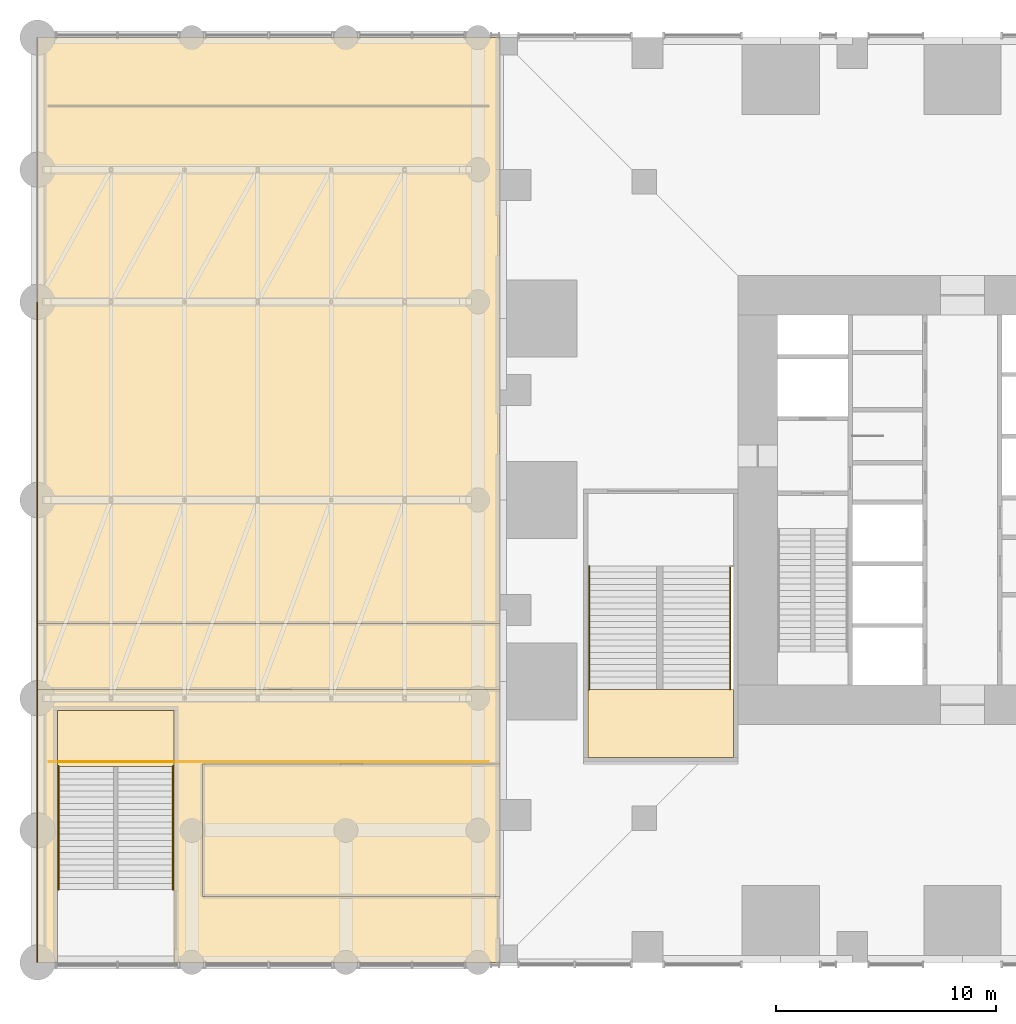
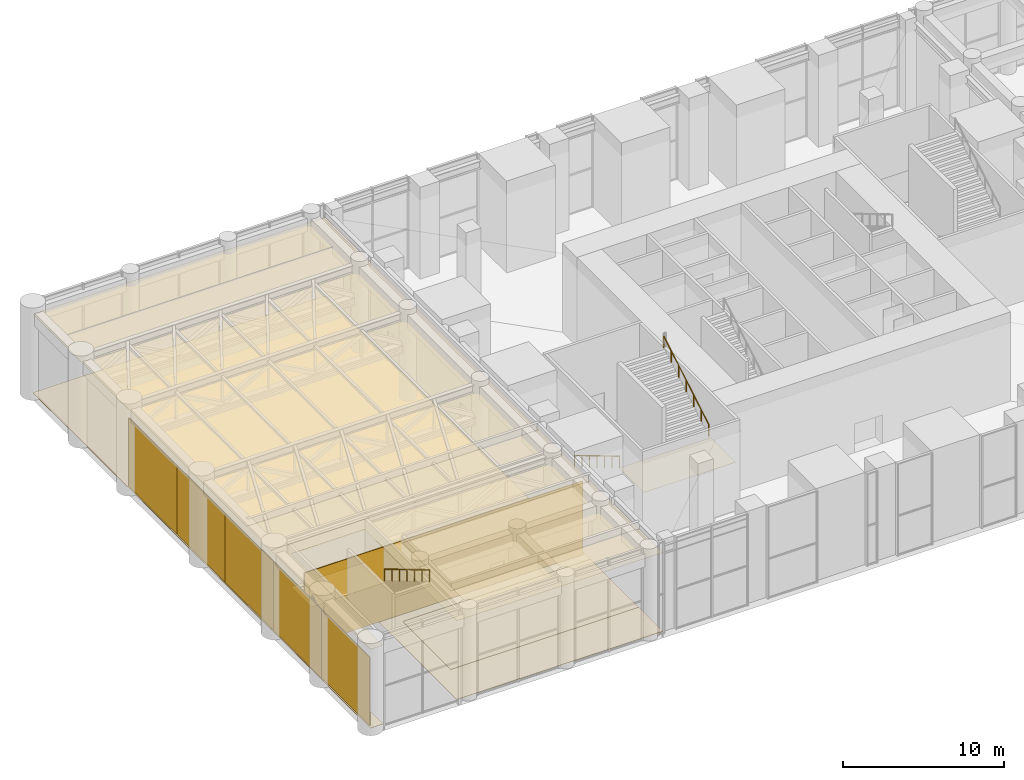
# One storey, part 26 of 30: 16 coverings, 4 railings.
"""IFC4 building model written with IfcOpenShell, lengths in metres."""

import ifcopenshell
import ifcopenshell.guid

model = None  # the IFC model being written
_history = None  # IfcOwnerHistory: only IFC2X3 demands one
_inside = {}  # id of a spatial element -> (the spatial element, [elements in it])
_under = {}  # id of a project, library or spatial element -> (it, [spatial elements below it])
_declared = {}  # id of a project -> (the project, [libraries it declares])
_typed = {}  # id of a type object -> (the type object, [elements of that type])
_made_of = {}  # id of a material, layer set ... -> (it, [elements and type objects made of it])


def new_model(schema):
    """Start an empty IFC model of exactly this schema.

    Asked for "IFC4X3", IfcOpenShell would pick the latest addendum, in which some entities
    have other attributes; the version numbers below select the first issue.
    IFC2X3 requires an IfcOwnerHistory on every rooted entity: one is made here for all.
    """
    global model, _history
    if schema == "IFC4X3":
        model = ifcopenshell.file(schema_version=(4, 3, 0, 0))
    else:
        model = ifcopenshell.file(schema=schema)
    _inside.clear()
    _under.clear()
    _declared.clear()
    _typed.clear()
    _made_of.clear()
    _history = None
    if model.schema == "IFC2X3":
        org = make("IfcOrganization", Name="unknown")
        user = make(
            "IfcPersonAndOrganization",
            ThePerson=make("IfcPerson", FamilyName="unknown"),
            TheOrganization=org,
        )
        app = make(
            "IfcApplication",
            ApplicationDeveloper=org,
            Version="unknown",
            ApplicationFullName="unknown",
            ApplicationIdentifier="unknown",
        )
        _history = make(
            "IfcOwnerHistory",
            OwningUser=user,
            OwningApplication=app,
            ChangeAction="ADDED",
            CreationDate=0,
        )
    return model


def make(cls, **values):
    """One entity of the class cls with the attributes given. An attribute that is None is left unset."""
    return model.create_entity(
        cls, **{name: value for name, value in values.items() if value is not None}
    )


def rooted(cls, **values):
    """An entity with a GlobalId (a new one), such as an element, a storey or a relation."""
    return make(cls, GlobalId=ifcopenshell.guid.new(), OwnerHistory=_history, **values)


def si_unit(unit_type, name, prefix=None):
    """IfcSIUnit, for example si_unit("LENGTHUNIT", "METRE", prefix="MILLI")."""
    return make("IfcSIUnit", UnitType=unit_type, Prefix=prefix, Name=name)


def assignment(units):
    """IfcUnitAssignment: the units of a project."""
    return None if units is None else make("IfcUnitAssignment", Units=units)


def point(xyz):
    """IfcCartesianPoint."""
    return None if xyz is None else make("IfcCartesianPoint", Coordinates=xyz)


def direction(xyz):
    """IfcDirection."""
    return None if xyz is None else make("IfcDirection", DirectionRatios=xyz)


def frame(location, z_axis=None, x_axis=None):
    """IfcAxis2Placement3D, a coordinate frame: its origin and axes. An axis left out is left unset."""
    return make(
        "IfcAxis2Placement3D",
        Location=point(location),
        Axis=direction(z_axis),
        RefDirection=direction(x_axis),
    )


def frame_2d(location, x_axis=None):
    """IfcAxis2Placement2D, a coordinate frame in the plane: its origin and x axis."""
    return make(
        "IfcAxis2Placement2D", Location=point(location), RefDirection=direction(x_axis)
    )


def origin():
    """The frame at (0, 0, 0) with its axes left unset."""
    return frame((0.0, 0.0, 0.0))


def origin_2d():
    """The frame at (0, 0) in the plane with its x axis left unset."""
    return frame_2d((0.0, 0.0))


def place(relative_to, where):
    """IfcLocalPlacement: puts the frame where relative to a parent placement (None: the world)."""
    return make(
        "IfcLocalPlacement", PlacementRelTo=relative_to, RelativePlacement=where
    )


def context(
    kind, dimensions, precision=None, world=None, true_north=None, identifier=None
):
    """IfcGeometricRepresentationContext, for example the 3D "Model" context."""
    return make(
        "IfcGeometricRepresentationContext",
        ContextIdentifier=identifier,
        ContextType=kind,
        CoordinateSpaceDimension=dimensions,
        Precision=precision,
        WorldCoordinateSystem=world,
        TrueNorth=true_north,
    )


def subcontext(parent, identifier, kind, view, scale=None):
    """IfcGeometricRepresentationSubContext, for example "Body" below "Model"."""
    return make(
        "IfcGeometricRepresentationSubContext",
        ContextIdentifier=identifier,
        ContextType=kind,
        ParentContext=parent,
        TargetScale=scale,
        TargetView=view,
    )


def project(units=None, contexts=None):
    """IfcProject with its units and contexts."""
    return rooted(
        "IfcProject",
        Name="project",
        RepresentationContexts=contexts,
        UnitsInContext=assignment(units),
    )


def spatial(cls, under=None, at=None, **own):
    """A site, building, storey or space (cls), placed at a placement, below another one or the project."""
    s = rooted(cls, ObjectPlacement=at, **own)
    if under is not None:
        _under.setdefault(under.id(), (under, []))[1].append(s)
    return s


def polyline(points):
    """IfcPolyline through the points."""
    return make("IfcPolyline", Points=[point(p) for p in points])


def profile(cls, at=None, kind="AREA", **sizes):
    """A parametric profile (cls). Its sizes go by their IFC names, for example OverallWidth=200.0."""
    return make(cls, ProfileType=kind, Position=at, **sizes)


def rectangle(**sizes):
    """IfcRectangleProfileDef."""
    return profile("IfcRectangleProfileDef", **sizes)


def circle(**sizes):
    """IfcCircleProfileDef."""
    return profile("IfcCircleProfileDef", **sizes)


def outline(outer, holes=None, kind="AREA"):
    """IfcArbitraryClosedProfileDef: a profile drawn as a closed curve; with holes, ...WithVoids."""
    if holes is None:
        return make("IfcArbitraryClosedProfileDef", ProfileType=kind, OuterCurve=outer)
    return make(
        "IfcArbitraryProfileDefWithVoids",
        ProfileType=kind,
        OuterCurve=outer,
        InnerCurves=holes,
    )


def extrude(swept, where, along, depth):
    """IfcExtrudedAreaSolid: the profile swept, set in the frame where, extruded along a direction by depth."""
    return make(
        "IfcExtrudedAreaSolid",
        SweptArea=swept,
        Position=where,
        ExtrudedDirection=direction(along),
        Depth=depth,
    )


def shape(context_of_items, identifier, shape_type, items):
    """IfcShapeRepresentation: the items that make up one representation, for example the "Body"."""
    return make(
        "IfcShapeRepresentation",
        ContextOfItems=context_of_items,
        RepresentationIdentifier=identifier,
        RepresentationType=shape_type,
        Items=items,
    )


def material(Name=None, Category=None):
    """IfcMaterial."""
    return make("IfcMaterial", Name=Name, Category=Category)


def layer(
    of_material, thickness, ventilated=None, Name=None, Category=None, Priority=None
):
    """IfcMaterialLayer: one layer of a wall or slab, of a material (None: an air gap)."""
    return make(
        "IfcMaterialLayer",
        Material=of_material,
        LayerThickness=thickness,
        IsVentilated=ventilated,
        Name=Name,
        Category=Category,
        Priority=Priority,
    )


def layer_set(layers, Name=None):
    """IfcMaterialLayerSet."""
    return make("IfcMaterialLayerSet", MaterialLayers=layers, LayerSetName=Name)


def made_of(thing, what):
    """Note that an element or type object is made of a material, layer set ...; save() writes the relation."""
    if what is not None:
        _made_of.setdefault(what.id(), (what, []))[1].append(thing)
    return thing


def type_object(cls, material=None, **own):
    """A type object (cls), such as IfcWallType, which elements share."""
    return made_of(rooted(cls, **own), material)


def element(
    cls,
    number,
    at=None,
    inside=None,
    cuts=None,
    type_object=None,
    material=None,
    context=None,
    identifier="Body",
    shape_type=None,
    held_by="IfcProductDefinitionShape",
    body=None,
    shapes=None,
    **own,
):
    """One element of the class cls, such as IfcWall. Its Tag is "e" and its number.

    at: its placement. inside: the storey or other place that contains it. cuts: it is an
    opening in that element (IfcRelVoidsElement). A single representation is given by context,
    identifier, shape_type and body (its items); several are given by shapes. held_by: the class
    of the entity that holds the representations. save() writes the other relations.
    """
    e = rooted(cls, Tag="e%d" % number, ObjectPlacement=at, **own)
    if body is not None:
        shapes = [shape(context, identifier, shape_type, body)]
    if shapes is not None:
        e.Representation = make(held_by, Representations=shapes)
    if inside is not None:
        _inside.setdefault(inside.id(), (inside, []))[1].append(e)
    if cuts is not None:
        rooted(
            "IfcRelVoidsElement", RelatingBuildingElement=cuts, RelatedOpeningElement=e
        )
    if type_object is not None:
        _typed.setdefault(type_object.id(), (type_object, []))[1].append(e)
    return made_of(e, material)


def aggregate(whole, parts):
    """IfcRelAggregates: a whole, such as a stair, and the parts it consists of."""
    return rooted("IfcRelAggregates", RelatingObject=whole, RelatedObjects=parts)


def save(model, path):
    """Write the relations noted so far, then the file.

    IfcRelAggregates (storeys below a building ...), IfcRelContainedInSpatialStructure (elements
    in a storey), IfcRelDefinesByType, IfcRelAssociatesMaterial and IfcRelDeclares: one each for
    every whole, place, type object, material and project.
    """
    for whole, parts in _under.values():
        aggregate(whole, parts)
    for where, things in _inside.values():
        rooted(
            "IfcRelContainedInSpatialStructure",
            RelatedElements=things,
            RelatingStructure=where,
        )
    for kind, things in _typed.values():
        rooted("IfcRelDefinesByType", RelatedObjects=things, RelatingType=kind)
    for what, things in _made_of.values():
        rooted("IfcRelAssociatesMaterial", RelatedObjects=things, RelatingMaterial=what)
    for by, libraries in _declared.values():
        rooted("IfcRelDeclares", RelatingContext=by, RelatedDefinitions=libraries)
    model.write(path)


model = new_model("IFC4")

# Units and contexts
model_context = context("Model", 3, precision=1e-05, world=origin(), true_north=direction((0.0, 1.0)))
body_context = subcontext(model_context, "Body", "Model", "MODEL_VIEW")
ifc_project = project(units=[si_unit("LENGTHUNIT", "METRE"), si_unit("AREAUNIT", "SQUARE_METRE"), si_unit("VOLUMEUNIT", "CUBIC_METRE"), si_unit("PLANEANGLEUNIT", "RADIAN"), si_unit("MASSUNIT", "GRAM", prefix="KILO")], contexts=[model_context])

# Site, building, storey
site_placement = place(None, origin())
site = spatial("IfcSite", under=ifc_project, at=site_placement, CompositionType="ELEMENT")
building_placement = place(site_placement, origin())
building = spatial("IfcBuilding", under=site, at=building_placement, Name="Svetlomir Tower", CompositionType="ELEMENT")
storey_placement = place(building_placement, frame((0.0, 0.0, 11.0)))
storey = spatial("IfcBuildingStorey", under=building, at=storey_placement, Name="L02", CompositionType="ELEMENT", Elevation=11.0)

# Coverings
ifc_material_1 = material(Name="Perforated timber acoustic panel", Category="wood")
ifc_layer_1 = layer(ifc_material_1, 0.0400390625)
ifc_layer_set_1 = layer_set([ifc_layer_1], Name="Perforated timber acoustic panel")
covering_type_1 = type_object("IfcCoveringType", Name="ACOUSTIC CEILING 40", PredefinedType="CEILING", material=ifc_layer_set_1)
covering_1_placement = place(storey_placement, frame((0.0, 0.0, 5.9599609375)))
element("IfcCovering", 1, at=covering_1_placement, inside=storey, type_object=covering_type_1, Name="Ceiling L02-13", PredefinedType="CEILING", context=body_context, shape_type="SweptSolid", body=[
    extrude(outline(polyline([(-21.0, 15.39990234375), (0.0, 15.39990234375), (0.0, 42.0), (-21.0, 42.0), (-21.0, 15.39990234375)])), origin(), (0.0, 0.0, 1.0), 0.0400390625),
])
ifc_material_2 = material(Name="Perforated oak acoustic panel", Category="wood")
ifc_layer_2 = layer(ifc_material_2, 0.0400390625)
ifc_layer_set_2 = layer_set([ifc_layer_2], Name="Perforated oak acoustic panel")
covering_type_2 = type_object("IfcCoveringType", Name="ACOUSTIC WALL LINING 40", PredefinedType="CLADDING", material=ifc_layer_set_2)
covering_2_placement = place(storey_placement, frame((-10.5, 9.1201171875, 0.5), z_axis=(0.0, 0.0, 1.0), x_axis=(1.0, 0.0, 0.0)))
element("IfcCovering", 2, at=covering_2_placement, inside=storey, type_object=covering_type_2, Name="Auditorium acoustic lining 1", PredefinedType="CLADDING", context=body_context, shape_type="SweptSolid", body=[
    extrude(rectangle(XDim=20.0, YDim=0.0400390625, at=origin_2d()), origin(), (0.0, 0.0, 1.0), 5.60009765625),
])

# Railings
ifc_material_3 = material(Name="Stainless steel", Category="steel")
railing_type = type_object("IfcRailingType", Name="HANDRAIL HR1 900", PredefinedType="HANDRAIL", material=ifc_material_3)
railing_1_placement = place(storey_placement, frame((4.050048828125, 18.0, 0.166748046875)))
element("IfcRailing", 3, at=railing_1_placement, inside=storey, type_object=railing_type, Name="Handrail P1 flight 1 L02", PredefinedType="HANDRAIL", context=body_context, shape_type="SweptSolid", body=[
    extrude(circle(Radius=0.02392578125, at=origin_2d()), frame((0.0, 0.0, 0.8759765625), z_axis=(0.0, -0.859302292876, 0.511468053214), x_axis=(1.0, 0.0, 0.0)), (0.0, 0.0, 1.0), 6.51708984375),
    extrude(circle(Radius=0.02099609375, at=origin_2d()), origin(), (0.0, 0.0, 1.0), 0.851806640625),
    extrude(circle(Radius=0.02099609375, at=origin_2d()), frame((0.0, -0.933349609375, 0.5556640625)), (0.0, 0.0, 1.0), 0.851806640625),
    extrude(circle(Radius=0.02099609375, at=origin_2d()), frame((0.0, -1.86669921875, 1.111083984375)), (0.0, 0.0, 1.0), 0.851806640625),
    extrude(circle(Radius=0.02099609375, at=origin_2d()), frame((0.0, -2.800048828125, 1.66650390625)), (0.0, 0.0, 1.0), 0.851806640625),
    extrude(circle(Radius=0.02099609375, at=origin_2d()), frame((0.0, -3.7333984375, 2.22216796875)), (0.0, 0.0, 1.0), 0.851806640625),
    extrude(circle(Radius=0.02099609375, at=origin_2d()), frame((0.0, -4.666748046875, 2.77783203125)), (0.0, 0.0, 1.0), 0.851806640625),
    extrude(circle(Radius=0.02099609375, at=origin_2d()), frame((0.0, -5.60009765625, 3.333251953125)), (0.0, 0.0, 1.0), 0.851806640625),
])
railing_2_placement = place(storey_placement, frame((10.449951171875, 12.39990234375, 3.666748046875)))
element("IfcRailing", 4, at=railing_2_placement, inside=storey, type_object=railing_type, Name="Handrail P1 flight 2 L02", PredefinedType="HANDRAIL", context=body_context, shape_type="SweptSolid", body=[
    extrude(circle(Radius=0.02392578125, at=origin_2d()), frame((0.0, 0.0, 0.8759765625), z_axis=(0.0, 0.859302292876, 0.511468053214), x_axis=(-1.0, 0.0, 0.0)), (0.0, 0.0, 1.0), 6.51708984375),
    extrude(circle(Radius=0.02099609375, at=origin_2d()), origin(), (0.0, 0.0, 1.0), 0.851806640625),
    extrude(circle(Radius=0.02099609375, at=origin_2d()), frame((0.0, 0.933349609375, 0.5556640625)), (0.0, 0.0, 1.0), 0.851806640625),
    extrude(circle(Radius=0.02099609375, at=origin_2d()), frame((0.0, 1.86669921875, 1.111083984375)), (0.0, 0.0, 1.0), 0.851806640625),
    extrude(circle(Radius=0.02099609375, at=origin_2d()), frame((0.0, 2.800048828125, 1.66650390625)), (0.0, 0.0, 1.0), 0.851806640625),
    extrude(circle(Radius=0.02099609375, at=origin_2d()), frame((0.0, 3.7333984375, 2.22216796875)), (0.0, 0.0, 1.0), 0.851806640625),
    extrude(circle(Radius=0.02099609375, at=origin_2d()), frame((0.0, 4.666748046875, 2.77783203125)), (0.0, 0.0, 1.0), 0.851806640625),
    extrude(circle(Radius=0.02099609375, at=origin_2d()), frame((0.0, 5.60009765625, 3.333251953125)), (0.0, 0.0, 1.0), 0.851806640625),
])
railing_3_placement = place(storey_placement, frame((-20.050048828125, 3.300048828125, 0.166748046875)))
element("IfcRailing", 5, at=railing_3_placement, inside=storey, type_object=railing_type, Name="Handrail P3 flight 1 L02", PredefinedType="HANDRAIL", context=body_context, shape_type="SweptSolid", body=[
    extrude(circle(Radius=0.02392578125, at=origin_2d()), frame((0.0, 0.0, 0.8759765625), z_axis=(0.0, 0.859292492371, 0.511484518392), x_axis=(-1.0, 0.0, 0.0)), (0.0, 0.0, 1.0), 6.516845703125),
    extrude(circle(Radius=0.02099609375, at=origin_2d()), origin(), (0.0, 0.0, 1.0), 0.851806640625),
    extrude(circle(Radius=0.02099609375, at=origin_2d()), frame((0.0, 0.933349609375, 0.5556640625)), (0.0, 0.0, 1.0), 0.851806640625),
    extrude(circle(Radius=0.02099609375, at=origin_2d()), frame((0.0, 1.86669921875, 1.111083984375)), (0.0, 0.0, 1.0), 0.851806640625),
    extrude(circle(Radius=0.02099609375, at=origin_2d()), frame((0.0, 2.7998046875, 1.66650390625)), (0.0, 0.0, 1.0), 0.851806640625),
    extrude(circle(Radius=0.02099609375, at=origin_2d()), frame((0.0, 3.733154296875, 2.22216796875)), (0.0, 0.0, 1.0), 0.851806640625),
    extrude(circle(Radius=0.02099609375, at=origin_2d()), frame((0.0, 4.66650390625, 2.77783203125)), (0.0, 0.0, 1.0), 0.851806640625),
    extrude(circle(Radius=0.02099609375, at=origin_2d()), frame((0.0, 5.599853515625, 3.333251953125)), (0.0, 0.0, 1.0), 0.851806640625),
])
railing_4_placement = place(storey_placement, frame((-14.85009765625, 8.89990234375, 3.666748046875)))
element("IfcRailing", 6, at=railing_4_placement, inside=storey, type_object=railing_type, Name="Handrail P3 flight 2 L02", PredefinedType="HANDRAIL", context=body_context, shape_type="SweptSolid", body=[
    extrude(circle(Radius=0.02392578125, at=origin_2d()), frame((0.0, 0.0, 0.8759765625), z_axis=(0.0, -0.859292492371, 0.511484518392), x_axis=(1.0, 0.0, 0.0)), (0.0, 0.0, 1.0), 6.516845703125),
    extrude(circle(Radius=0.02099609375, at=origin_2d()), origin(), (0.0, 0.0, 1.0), 0.851806640625),
    extrude(circle(Radius=0.02099609375, at=origin_2d()), frame((0.0, -0.933349609375, 0.5556640625)), (0.0, 0.0, 1.0), 0.851806640625),
    extrude(circle(Radius=0.02099609375, at=origin_2d()), frame((0.0, -1.86669921875, 1.111083984375)), (0.0, 0.0, 1.0), 0.851806640625),
    extrude(circle(Radius=0.02099609375, at=origin_2d()), frame((0.0, -2.7998046875, 1.66650390625)), (0.0, 0.0, 1.0), 0.851806640625),
    extrude(circle(Radius=0.02099609375, at=origin_2d()), frame((0.0, -3.733154296875, 2.22216796875)), (0.0, 0.0, 1.0), 0.851806640625),
    extrude(circle(Radius=0.02099609375, at=origin_2d()), frame((0.0, -4.66650390625, 2.77783203125)), (0.0, 0.0, 1.0), 0.851806640625),
    extrude(circle(Radius=0.02099609375, at=origin_2d()), frame((0.0, -5.599853515625, 3.333251953125)), (0.0, 0.0, 1.0), 0.851806640625),
])

# Coverings
ifc_material_4 = material(Name="Bronze and smalt glass mosaic on precast backing", Category="concrete")
ifc_layer_3 = layer(ifc_material_4, 0.050048828125)
ifc_layer_set_3 = layer_set([ifc_layer_3], Name="Bronze and smalt glass mosaic on precast backing")
covering_type_3 = type_object("IfcCoveringType", Name="MOSAIC CLADDING PANEL 50", PredefinedType="CLADDING", material=ifc_layer_set_3)
for number, where, z_axis, x_axis, name in (
    (7, (-21.02490234375, 27.0, 0.2001953125), (0.0, 0.0, 1.0), (1.0, 0.0, 0.0), "Mosaic panel 3"),
    (8, (-21.02490234375, 21.0, 0.2001953125), (0.0, 0.0, 1.0), (1.0, 0.0, 0.0), "Mosaic panel 4"),
    (9, (-21.02490234375, 15.0, 0.2001953125), (0.0, 0.0, 1.0), (1.0, 0.0, 0.0), "Mosaic panel 5"),
    (10, (-21.02490234375, 9.0, 0.2001953125), (0.0, 0.0, 1.0), (1.0, 0.0, 0.0), "Mosaic panel 6"),
    (11, (-21.02490234375, 3.0, 0.2001953125), (0.0, 0.0, 1.0), (1.0, 0.0, 0.0), "Mosaic panel 7"),
):
    element("IfcCovering", number, at=place(storey_placement, frame(where, z_axis=z_axis, x_axis=x_axis)), inside=storey, type_object=covering_type_3, Name=name, PredefinedType="CLADDING", context=body_context, shape_type="SweptSolid", body=[
        extrude(rectangle(XDim=0.050048828125, YDim=5.97998046875, at=origin_2d()), origin(), (0.0, 0.0, 1.0), 5.199951171875),
    ])
ifc_material_5 = material(Name="Gypsum plasterboard ceiling", Category="gypsum")
ifc_layer_4 = layer(ifc_material_5, 0.014892578125)
ifc_layer_set_4 = layer_set([ifc_layer_4], Name="Gypsum plasterboard ceiling")
covering_type_4 = type_object("IfcCoveringType", Name="PLASTERBOARD CEILING 15", PredefinedType="CEILING", material=ifc_layer_set_4)
covering_3_placement = place(storey_placement, frame((0.0, 0.0, 5.985107421875)))
element("IfcCovering", 12, at=covering_3_placement, inside=storey, type_object=covering_type_4, Name="Ceiling L02-14", PredefinedType="CEILING", context=body_context, shape_type="SweptSolid", body=[
    extrude(outline(polyline([(-13.5, 3.0), (0.0, 3.0), (0.0, 9.0), (-13.5, 9.0), (-13.5, 3.0)])), origin(), (0.0, 0.0, 1.0), 0.014892578125),
])
covering_4_placement = place(storey_placement, frame((0.0, 0.0, 5.985107421875)))
element("IfcCovering", 13, at=covering_4_placement, inside=storey, type_object=covering_type_4, Name="Ceiling L02-15", PredefinedType="CEILING", context=body_context, shape_type="SweptSolid", body=[
    extrude(outline(polyline([(-21.0, 12.39990234375), (0.0, 12.39990234375), (0.0, 15.39990234375), (-21.0, 15.39990234375), (-21.0, 12.39990234375)])), origin(), (0.0, 0.0, 1.0), 0.014892578125),
])
covering_5_placement = place(storey_placement, frame((0.0, 0.0, 5.985107421875)))
element("IfcCovering", 14, at=covering_5_placement, inside=storey, type_object=covering_type_4, Name="Ceiling L02-23", PredefinedType="CEILING", context=body_context, shape_type="SweptSolid", body=[
    extrude(outline(polyline([(-21.0, 0.0), (-21.0, 12.39990234375), (0.0, 12.39990234375), (0.0, 9.0), (-13.5, 9.0), (-13.5, 3.0), (0.0, 3.0), (0.0, 0.0), (-14.800048828125, 0.0), (-14.800048828125, 11.449951171875), (-20.10009765625, 11.449951171875), (-20.10009765625, 0.0), (-21.0, 0.0)])), origin(), (0.0, 0.0, 1.0), 0.014892578125),
])
ifc_material_6 = material(Name="Studded rubber floor finish", Category="rubber")
ifc_layer_5 = layer(ifc_material_6, 0.006103515625)
ifc_layer_set_5 = layer_set([ifc_layer_5], Name="Studded rubber floor finish")
covering_type_5 = type_object("IfcCoveringType", Name="RUBBER LANDING FINISH 6", PredefinedType="FLOORING", material=ifc_layer_set_5)
covering_6_placement = place(storey_placement, frame((0.0, 0.0, 3.5)))
element("IfcCovering", 15, at=covering_6_placement, inside=storey, type_object=covering_type_5, Name="Stair P1 landing finish L02", PredefinedType="FLOORING", context=body_context, shape_type="SweptSolid", body=[
    extrude(outline(polyline([(4.0, 9.300048828125), (10.60009765625, 9.300048828125), (10.60009765625, 12.39990234375), (4.0, 12.39990234375), (4.0, 9.300048828125)])), origin(), (0.0, 0.0, 1.0), 0.006103515625),
])
covering_7_placement = place(storey_placement, frame((0.0, 0.0, 3.5)))
element("IfcCovering", 16, at=covering_7_placement, inside=storey, type_object=covering_type_5, Name="Stair P3 landing finish L02", PredefinedType="FLOORING", context=body_context, shape_type="SweptSolid", body=[
    extrude(outline(polyline([(-20.10009765625, 8.89990234375), (-14.800048828125, 8.89990234375), (-14.800048828125, 11.449951171875), (-20.10009765625, 11.449951171875), (-20.10009765625, 8.89990234375)])), origin(), (0.0, 0.0, 1.0), 0.006103515625),
])
ifc_material_7 = material(Name="Bronze-aggregate terrazzo", Category="stone")
ifc_layer_6 = layer(ifc_material_7, 0.030029296875)
ifc_layer_set_6 = layer_set([ifc_layer_6], Name="Bronze-aggregate terrazzo")
covering_type_6 = type_object("IfcCoveringType", Name="TERRAZZO FLOOR 30", PredefinedType="FLOORING", material=ifc_layer_set_6)
covering_8_placement = place(storey_placement, origin())
element("IfcCovering", 17, at=covering_8_placement, inside=storey, type_object=covering_type_6, Name="Floor finish L02-13", PredefinedType="FLOORING", context=body_context, shape_type="SweptSolid", body=[
    extrude(outline(polyline([(-21.0, 15.39990234375), (0.0, 15.39990234375), (0.0, 42.0), (-21.0, 42.0), (-21.0, 15.39990234375)])), origin(), (0.0, 0.0, 1.0), 0.030029296875),
])
covering_9_placement = place(storey_placement, origin())
element("IfcCovering", 18, at=covering_9_placement, inside=storey, type_object=covering_type_6, Name="Floor finish L02-14", PredefinedType="FLOORING", context=body_context, shape_type="SweptSolid", body=[
    extrude(outline(polyline([(-13.5, 3.0), (0.0, 3.0), (0.0, 9.0), (-13.5, 9.0), (-13.5, 3.0)])), origin(), (0.0, 0.0, 1.0), 0.030029296875),
])
covering_10_placement = place(storey_placement, origin())
element("IfcCovering", 19, at=covering_10_placement, inside=storey, type_object=covering_type_6, Name="Floor finish L02-15", PredefinedType="FLOORING", context=body_context, shape_type="SweptSolid", body=[
    extrude(outline(polyline([(-21.0, 12.39990234375), (0.0, 12.39990234375), (0.0, 15.39990234375), (-21.0, 15.39990234375), (-21.0, 12.39990234375)])), origin(), (0.0, 0.0, 1.0), 0.030029296875),
])
covering_11_placement = place(storey_placement, origin())
element("IfcCovering", 20, at=covering_11_placement, inside=storey, type_object=covering_type_6, Name="Floor finish L02-23", PredefinedType="FLOORING", context=body_context, shape_type="SweptSolid", body=[
    extrude(outline(polyline([(-21.0, 0.0), (-21.0, 12.39990234375), (0.0, 12.39990234375), (0.0, 9.0), (-13.5, 9.0), (-13.5, 3.0), (0.0, 3.0), (0.0, 0.0), (-14.800048828125, 0.0), (-14.800048828125, 11.449951171875), (-20.10009765625, 11.449951171875), (-20.10009765625, 0.0), (-21.0, 0.0)])), origin(), (0.0, 0.0, 1.0), 0.030029296875),
])

save(model, "model.ifc")
